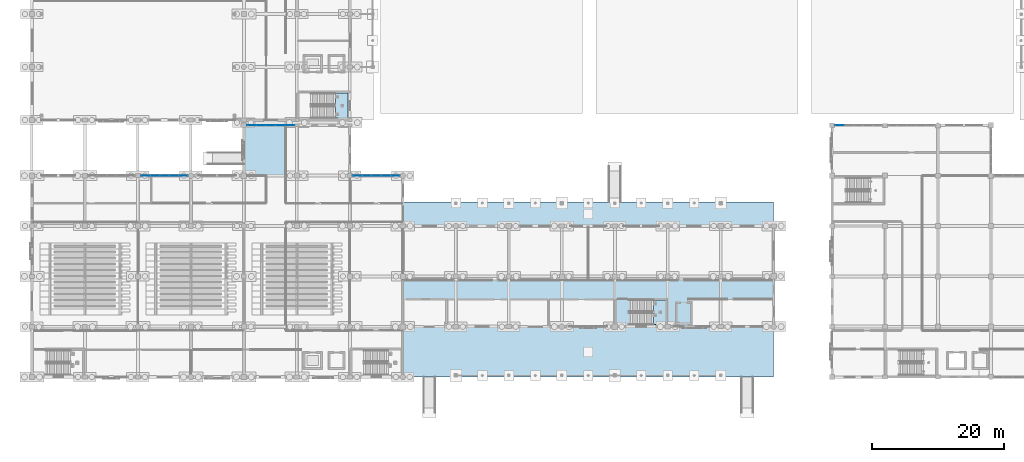
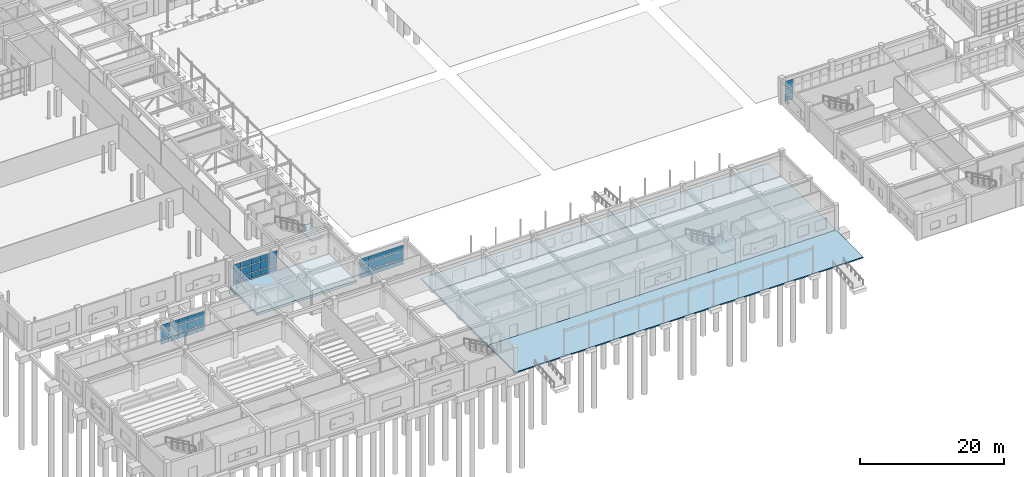
# One storey, part 109 of 166: 48 plates, 6 slabs, 6 elements without a shape of their own.
"""IFC4 building model written with IfcOpenShell, lengths in metres."""

from ifc_helpers import new_model, si_unit, direction, frame, origin, origin_2d, place, context, subcontext, project, spatial, polyline, rectangle, outline, extrude, material, layer, layer_set, type_object, element, aggregate, save


model = new_model("IFC4")

# Units and contexts
model_context = context("Model", 3, precision=1e-05, world=origin(), true_north=direction((0.0, 1.0)))
body_context = subcontext(model_context, "Body", "Model", "MODEL_VIEW")
ifc_project = project(units=[si_unit("LENGTHUNIT", "METRE"), si_unit("AREAUNIT", "SQUARE_METRE"), si_unit("VOLUMEUNIT", "CUBIC_METRE"), si_unit("PLANEANGLEUNIT", "RADIAN"), si_unit("MASSUNIT", "GRAM", prefix="KILO")], contexts=[model_context])

# Site, building, storey
site_placement = place(None, origin())
site = spatial("IfcSite", under=ifc_project, at=site_placement, CompositionType="ELEMENT")
building_placement = place(site_placement, origin())
building = spatial("IfcBuilding", under=site, at=building_placement, Name="Kharva Crest Polytechnic", CompositionType="ELEMENT")
storey_placement = place(building_placement, origin())
storey = spatial("IfcBuildingStorey", under=building, at=storey_placement, Name="L00", CompositionType="ELEMENT", Elevation=0.0)

# Curtain wall, plates
ifc_material_1 = material(Name="Tempered insulated glass", Category="glass")
curtain_wall_type_1 = type_object("IfcCurtainWallType", Name="CW-SYS-COURT", PredefinedType="USERDEFINED", material=ifc_material_1)
curtain_wall_1_placement = place(storey_placement, origin())
curtain_wall_1 = element("IfcCurtainWall", 1, at=curtain_wall_1_placement, inside=storey, type_object=curtain_wall_type_1, Name="L00 Glazed Curtain Wall CW-001", ObjectType="CURTAIN WALL", PredefinedType="USERDEFINED")
ifc_layer_1 = layer(ifc_material_1, 0.02392578125, Name="Tempered insulated glass")
ifc_layer_set_1 = layer_set([ifc_layer_1], Name="Tempered insulated glass")
plate_type_1 = type_object("IfcPlateType", Name="CWP-GLZ-24", PredefinedType="CURTAIN_PANEL", material=ifc_layer_set_1)
plate_1_placement = place(storey_placement, frame((54.85498046875, 30.39990234375, 0.119873046875), z_axis=(0.0, 0.0, 1.0), x_axis=(-1.0, 0.0, 0.0)))
plate_1 = element("IfcPlate", 2, at=plate_1_placement, type_object=plate_type_1, Name="CW-001 panel 1.1", PredefinedType="CURTAIN_PANEL", context=body_context, shape_type="SweptSolid", body=[
    extrude(rectangle(XDim=1.320068359375, YDim=0.02392578125, at=origin_2d()), origin(), (0.0, 0.0, 1.0), 0.8701171875),
])
plate_2_placement = place(storey_placement, frame((54.85498046875, 30.39990234375, 1.10986328125), z_axis=(0.0, 0.0, 1.0), x_axis=(-1.0, 0.0, 0.0)))
plate_2 = element("IfcPlate", 3, at=plate_2_placement, type_object=plate_type_1, Name="CW-001 panel 1.2", PredefinedType="CURTAIN_PANEL", context=body_context, shape_type="SweptSolid", body=[
    extrude(rectangle(XDim=1.320068359375, YDim=0.02392578125, at=origin_2d()), origin(), (0.0, 0.0, 1.0), 1.280029296875),
])
plate_3_placement = place(storey_placement, frame((54.85498046875, 30.39990234375, 2.51025390625), z_axis=(0.0, 0.0, 1.0), x_axis=(-1.0, 0.0, 0.0)))
plate_3 = element("IfcPlate", 4, at=plate_3_placement, type_object=plate_type_1, Name="CW-001 panel 1.3", PredefinedType="CURTAIN_PANEL", context=body_context, shape_type="SweptSolid", body=[
    extrude(rectangle(XDim=1.320068359375, YDim=0.02392578125, at=origin_2d()), origin(), (0.0, 0.0, 1.0), 0.909912109375),
])
plate_4_placement = place(storey_placement, frame((53.43505859375, 30.39990234375, 0.119873046875), z_axis=(0.0, 0.0, 1.0), x_axis=(-1.0, 0.0, 0.0)))
plate_4 = element("IfcPlate", 5, at=plate_4_placement, type_object=plate_type_1, Name="CW-001 panel 2.1", PredefinedType="CURTAIN_PANEL", context=body_context, shape_type="SweptSolid", body=[
    extrude(rectangle(XDim=1.360107421875, YDim=0.02392578125, at=origin_2d()), origin(), (0.0, 0.0, 1.0), 0.8701171875),
])
plate_5_placement = place(storey_placement, frame((53.43505859375, 30.39990234375, 1.10986328125), z_axis=(0.0, 0.0, 1.0), x_axis=(-1.0, 0.0, 0.0)))
plate_5 = element("IfcPlate", 6, at=plate_5_placement, type_object=plate_type_1, Name="CW-001 panel 2.2", PredefinedType="CURTAIN_PANEL", context=body_context, shape_type="SweptSolid", body=[
    extrude(rectangle(XDim=1.360107421875, YDim=0.02392578125, at=origin_2d()), origin(), (0.0, 0.0, 1.0), 1.280029296875),
])
plate_6_placement = place(storey_placement, frame((53.43505859375, 30.39990234375, 2.51025390625), z_axis=(0.0, 0.0, 1.0), x_axis=(-1.0, 0.0, 0.0)))
plate_6 = element("IfcPlate", 7, at=plate_6_placement, type_object=plate_type_1, Name="CW-001 panel 2.3", PredefinedType="CURTAIN_PANEL", context=body_context, shape_type="SweptSolid", body=[
    extrude(rectangle(XDim=1.360107421875, YDim=0.02392578125, at=origin_2d()), origin(), (0.0, 0.0, 1.0), 0.909912109375),
])
plate_7_placement = place(storey_placement, frame((51.9951171875, 30.39990234375, 0.119873046875), z_axis=(0.0, 0.0, 1.0), x_axis=(-1.0, 0.0, 0.0)))
plate_7 = element("IfcPlate", 8, at=plate_7_placement, type_object=plate_type_1, Name="CW-001 panel 3.1", PredefinedType="CURTAIN_PANEL", context=body_context, shape_type="SweptSolid", body=[
    extrude(rectangle(XDim=1.360107421875, YDim=0.02392578125, at=origin_2d()), origin(), (0.0, 0.0, 1.0), 0.8701171875),
])
plate_8_placement = place(storey_placement, frame((51.9951171875, 30.39990234375, 1.10986328125), z_axis=(0.0, 0.0, 1.0), x_axis=(-1.0, 0.0, 0.0)))
plate_8 = element("IfcPlate", 9, at=plate_8_placement, type_object=plate_type_1, Name="CW-001 panel 3.2", PredefinedType="CURTAIN_PANEL", context=body_context, shape_type="SweptSolid", body=[
    extrude(rectangle(XDim=1.360107421875, YDim=0.02392578125, at=origin_2d()), origin(), (0.0, 0.0, 1.0), 1.280029296875),
])
plate_9_placement = place(storey_placement, frame((51.9951171875, 30.39990234375, 2.51025390625), z_axis=(0.0, 0.0, 1.0), x_axis=(-1.0, 0.0, 0.0)))
plate_9 = element("IfcPlate", 10, at=plate_9_placement, type_object=plate_type_1, Name="CW-001 panel 3.3", PredefinedType="CURTAIN_PANEL", context=body_context, shape_type="SweptSolid", body=[
    extrude(rectangle(XDim=1.360107421875, YDim=0.02392578125, at=origin_2d()), origin(), (0.0, 0.0, 1.0), 0.909912109375),
])
plate_10_placement = place(storey_placement, frame((50.554931640625, 30.39990234375, 0.119873046875), z_axis=(0.0, 0.0, 1.0), x_axis=(-1.0, 0.0, 0.0)))
plate_10 = element("IfcPlate", 11, at=plate_10_placement, type_object=plate_type_1, Name="CW-001 panel 4.1", PredefinedType="CURTAIN_PANEL", context=body_context, shape_type="SweptSolid", body=[
    extrude(rectangle(XDim=1.360107421875, YDim=0.02392578125, at=origin_2d()), origin(), (0.0, 0.0, 1.0), 0.8701171875),
])
plate_11_placement = place(storey_placement, frame((50.554931640625, 30.39990234375, 1.10986328125), z_axis=(0.0, 0.0, 1.0), x_axis=(-1.0, 0.0, 0.0)))
plate_11 = element("IfcPlate", 12, at=plate_11_placement, type_object=plate_type_1, Name="CW-001 panel 4.2", PredefinedType="CURTAIN_PANEL", context=body_context, shape_type="SweptSolid", body=[
    extrude(rectangle(XDim=1.360107421875, YDim=0.02392578125, at=origin_2d()), origin(), (0.0, 0.0, 1.0), 1.280029296875),
])
plate_12_placement = place(storey_placement, frame((50.554931640625, 30.39990234375, 2.51025390625), z_axis=(0.0, 0.0, 1.0), x_axis=(-1.0, 0.0, 0.0)))
plate_12 = element("IfcPlate", 13, at=plate_12_placement, type_object=plate_type_1, Name="CW-001 panel 4.3", PredefinedType="CURTAIN_PANEL", context=body_context, shape_type="SweptSolid", body=[
    extrude(rectangle(XDim=1.360107421875, YDim=0.02392578125, at=origin_2d()), origin(), (0.0, 0.0, 1.0), 0.909912109375),
])
plate_13_placement = place(storey_placement, frame((49.135009765625, 30.39990234375, 0.119873046875), z_axis=(0.0, 0.0, 1.0), x_axis=(-1.0, 0.0, 0.0)))
plate_13 = element("IfcPlate", 14, at=plate_13_placement, type_object=plate_type_1, Name="CW-001 panel 5.1", PredefinedType="CURTAIN_PANEL", context=body_context, shape_type="SweptSolid", body=[
    extrude(rectangle(XDim=1.320068359375, YDim=0.02392578125, at=origin_2d()), origin(), (0.0, 0.0, 1.0), 0.8701171875),
])
plate_14_placement = place(storey_placement, frame((49.135009765625, 30.39990234375, 1.10986328125), z_axis=(0.0, 0.0, 1.0), x_axis=(-1.0, 0.0, 0.0)))
plate_14 = element("IfcPlate", 15, at=plate_14_placement, type_object=plate_type_1, Name="CW-001 panel 5.2", PredefinedType="CURTAIN_PANEL", context=body_context, shape_type="SweptSolid", body=[
    extrude(rectangle(XDim=1.320068359375, YDim=0.02392578125, at=origin_2d()), origin(), (0.0, 0.0, 1.0), 1.280029296875),
])
plate_15_placement = place(storey_placement, frame((49.135009765625, 30.39990234375, 2.51025390625), z_axis=(0.0, 0.0, 1.0), x_axis=(-1.0, 0.0, 0.0)))
plate_15 = element("IfcPlate", 16, at=plate_15_placement, type_object=plate_type_1, Name="CW-001 panel 5.3", PredefinedType="CURTAIN_PANEL", context=body_context, shape_type="SweptSolid", body=[
    extrude(rectangle(XDim=1.320068359375, YDim=0.02392578125, at=origin_2d()), origin(), (0.0, 0.0, 1.0), 0.909912109375),
])
aggregate(curtain_wall_1, [plate_1, plate_2, plate_3, plate_4, plate_5, plate_6, plate_7, plate_8, plate_9, plate_10, plate_11, plate_12, plate_13, plate_14, plate_15])

curtain_wall_2_placement = place(storey_placement, origin())
curtain_wall_2 = element("IfcCurtainWall", 17, at=curtain_wall_2_placement, inside=storey, type_object=curtain_wall_type_1, Name="L00 Glazed Curtain Wall CW-002", ObjectType="CURTAIN WALL", PredefinedType="USERDEFINED")
plate_16_placement = place(storey_placement, frame((38.946044921875, 38.0, 0.119873046875), z_axis=(0.0, 0.0, 1.0), x_axis=(-1.0, 0.0, 0.0)))
plate_16 = element("IfcPlate", 18, at=plate_16_placement, type_object=plate_type_1, Name="CW-002 panel 1.1", PredefinedType="CURTAIN_PANEL", context=body_context, shape_type="SweptSolid", body=[
    extrude(rectangle(XDim=1.337890625, YDim=0.02392578125, at=origin_2d()), origin(), (0.0, 0.0, 1.0), 0.8701171875),
])
plate_17_placement = place(storey_placement, frame((38.946044921875, 38.0, 1.10986328125), z_axis=(0.0, 0.0, 1.0), x_axis=(-1.0, 0.0, 0.0)))
plate_17 = element("IfcPlate", 19, at=plate_17_placement, type_object=plate_type_1, Name="CW-002 panel 1.2", PredefinedType="CURTAIN_PANEL", context=body_context, shape_type="SweptSolid", body=[
    extrude(rectangle(XDim=1.337890625, YDim=0.02392578125, at=origin_2d()), origin(), (0.0, 0.0, 1.0), 1.280029296875),
])
plate_18_placement = place(storey_placement, frame((38.946044921875, 38.0, 2.510009765625), z_axis=(0.0, 0.0, 1.0), x_axis=(-1.0, 0.0, 0.0)))
plate_18 = element("IfcPlate", 20, at=plate_18_placement, type_object=plate_type_1, Name="CW-002 panel 1.3", PredefinedType="CURTAIN_PANEL", context=body_context, shape_type="SweptSolid", body=[
    extrude(rectangle(XDim=1.337890625, YDim=0.02392578125, at=origin_2d()), origin(), (0.0, 0.0, 1.0), 0.93994140625),
])
plate_19_placement = place(storey_placement, frame((37.508056640625, 38.0, 0.119873046875), z_axis=(0.0, 0.0, 1.0), x_axis=(-1.0, 0.0, 0.0)))
plate_19 = element("IfcPlate", 21, at=plate_19_placement, type_object=plate_type_1, Name="CW-002 panel 2.1", PredefinedType="CURTAIN_PANEL", context=body_context, shape_type="SweptSolid", body=[
    extrude(rectangle(XDim=1.3779296875, YDim=0.02392578125, at=origin_2d()), origin(), (0.0, 0.0, 1.0), 0.8701171875),
])
plate_20_placement = place(storey_placement, frame((37.508056640625, 38.0, 1.10986328125), z_axis=(0.0, 0.0, 1.0), x_axis=(-1.0, 0.0, 0.0)))
plate_20 = element("IfcPlate", 22, at=plate_20_placement, type_object=plate_type_1, Name="CW-002 panel 2.2", PredefinedType="CURTAIN_PANEL", context=body_context, shape_type="SweptSolid", body=[
    extrude(rectangle(XDim=1.3779296875, YDim=0.02392578125, at=origin_2d()), origin(), (0.0, 0.0, 1.0), 1.280029296875),
])
plate_21_placement = place(storey_placement, frame((37.508056640625, 38.0, 2.510009765625), z_axis=(0.0, 0.0, 1.0), x_axis=(-1.0, 0.0, 0.0)))
plate_21 = element("IfcPlate", 23, at=plate_21_placement, type_object=plate_type_1, Name="CW-002 panel 2.3", PredefinedType="CURTAIN_PANEL", context=body_context, shape_type="SweptSolid", body=[
    extrude(rectangle(XDim=1.3779296875, YDim=0.02392578125, at=origin_2d()), origin(), (0.0, 0.0, 1.0), 0.93994140625),
])
plate_22_placement = place(storey_placement, frame((36.050048828125, 38.0, 0.119873046875), z_axis=(0.0, 0.0, 1.0), x_axis=(-1.0, 0.0, 0.0)))
plate_22 = element("IfcPlate", 24, at=plate_22_placement, type_object=plate_type_1, Name="CW-002 panel 3.1", PredefinedType="CURTAIN_PANEL", context=body_context, shape_type="SweptSolid", body=[
    extrude(rectangle(XDim=1.3779296875, YDim=0.02392578125, at=origin_2d()), origin(), (0.0, 0.0, 1.0), 0.8701171875),
])
plate_23_placement = place(storey_placement, frame((36.050048828125, 38.0, 1.10986328125), z_axis=(0.0, 0.0, 1.0), x_axis=(-1.0, 0.0, 0.0)))
plate_23 = element("IfcPlate", 25, at=plate_23_placement, type_object=plate_type_1, Name="CW-002 panel 3.2", PredefinedType="CURTAIN_PANEL", context=body_context, shape_type="SweptSolid", body=[
    extrude(rectangle(XDim=1.3779296875, YDim=0.02392578125, at=origin_2d()), origin(), (0.0, 0.0, 1.0), 1.280029296875),
])
plate_24_placement = place(storey_placement, frame((36.050048828125, 38.0, 2.510009765625), z_axis=(0.0, 0.0, 1.0), x_axis=(-1.0, 0.0, 0.0)))
plate_24 = element("IfcPlate", 26, at=plate_24_placement, type_object=plate_type_1, Name="CW-002 panel 3.3", PredefinedType="CURTAIN_PANEL", context=body_context, shape_type="SweptSolid", body=[
    extrude(rectangle(XDim=1.3779296875, YDim=0.02392578125, at=origin_2d()), origin(), (0.0, 0.0, 1.0), 0.93994140625),
])
plate_25_placement = place(storey_placement, frame((34.592041015625, 38.0, 0.119873046875), z_axis=(0.0, 0.0, 1.0), x_axis=(-1.0, 0.0, 0.0)))
plate_25 = element("IfcPlate", 27, at=plate_25_placement, type_object=plate_type_1, Name="CW-002 panel 4.1", PredefinedType="CURTAIN_PANEL", context=body_context, shape_type="SweptSolid", body=[
    extrude(rectangle(XDim=1.3779296875, YDim=0.02392578125, at=origin_2d()), origin(), (0.0, 0.0, 1.0), 0.8701171875),
])
plate_26_placement = place(storey_placement, frame((34.592041015625, 38.0, 1.10986328125), z_axis=(0.0, 0.0, 1.0), x_axis=(-1.0, 0.0, 0.0)))
plate_26 = element("IfcPlate", 28, at=plate_26_placement, type_object=plate_type_1, Name="CW-002 panel 4.2", PredefinedType="CURTAIN_PANEL", context=body_context, shape_type="SweptSolid", body=[
    extrude(rectangle(XDim=1.3779296875, YDim=0.02392578125, at=origin_2d()), origin(), (0.0, 0.0, 1.0), 1.280029296875),
])
plate_27_placement = place(storey_placement, frame((34.592041015625, 38.0, 2.510009765625), z_axis=(0.0, 0.0, 1.0), x_axis=(-1.0, 0.0, 0.0)))
plate_27 = element("IfcPlate", 29, at=plate_27_placement, type_object=plate_type_1, Name="CW-002 panel 4.3", PredefinedType="CURTAIN_PANEL", context=body_context, shape_type="SweptSolid", body=[
    extrude(rectangle(XDim=1.3779296875, YDim=0.02392578125, at=origin_2d()), origin(), (0.0, 0.0, 1.0), 0.93994140625),
])
plate_28_placement = place(storey_placement, frame((33.154052734375, 38.0, 0.119873046875), z_axis=(0.0, 0.0, 1.0), x_axis=(-1.0, 0.0, 0.0)))
plate_28 = element("IfcPlate", 30, at=plate_28_placement, type_object=plate_type_1, Name="CW-002 panel 5.1", PredefinedType="CURTAIN_PANEL", context=body_context, shape_type="SweptSolid", body=[
    extrude(rectangle(XDim=1.337890625, YDim=0.02392578125, at=origin_2d()), origin(), (0.0, 0.0, 1.0), 0.8701171875),
])
plate_29_placement = place(storey_placement, frame((33.154052734375, 38.0, 1.10986328125), z_axis=(0.0, 0.0, 1.0), x_axis=(-1.0, 0.0, 0.0)))
plate_29 = element("IfcPlate", 31, at=plate_29_placement, type_object=plate_type_1, Name="CW-002 panel 5.2", PredefinedType="CURTAIN_PANEL", context=body_context, shape_type="SweptSolid", body=[
    extrude(rectangle(XDim=1.337890625, YDim=0.02392578125, at=origin_2d()), origin(), (0.0, 0.0, 1.0), 1.280029296875),
])
plate_30_placement = place(storey_placement, frame((33.154052734375, 38.0, 2.510009765625), z_axis=(0.0, 0.0, 1.0), x_axis=(-1.0, 0.0, 0.0)))
plate_30 = element("IfcPlate", 32, at=plate_30_placement, type_object=plate_type_1, Name="CW-002 panel 5.3", PredefinedType="CURTAIN_PANEL", context=body_context, shape_type="SweptSolid", body=[
    extrude(rectangle(XDim=1.337890625, YDim=0.02392578125, at=origin_2d()), origin(), (0.0, 0.0, 1.0), 0.93994140625),
])
aggregate(curtain_wall_2, [plate_16, plate_17, plate_18, plate_19, plate_20, plate_21, plate_22, plate_23, plate_24, plate_25, plate_26, plate_27, plate_28, plate_29, plate_30])

curtain_wall_3_placement = place(storey_placement, origin())
curtain_wall_3 = element("IfcCurtainWall", 33, at=curtain_wall_3_placement, inside=storey, type_object=curtain_wall_type_1, Name="L00 Glazed Curtain Wall CW-003", ObjectType="CURTAIN WALL", PredefinedType="USERDEFINED")
plate_31_placement = place(storey_placement, frame((22.85498046875, 30.39990234375, 0.119873046875), z_axis=(0.0, 0.0, 1.0), x_axis=(-1.0, 0.0, 0.0)))
plate_31 = element("IfcPlate", 34, at=plate_31_placement, type_object=plate_type_1, Name="CW-003 panel 1.1", PredefinedType="CURTAIN_PANEL", context=body_context, shape_type="SweptSolid", body=[
    extrude(rectangle(XDim=1.320068359375, YDim=0.02392578125, at=origin_2d()), origin(), (0.0, 0.0, 1.0), 0.8701171875),
])
plate_32_placement = place(storey_placement, frame((22.85498046875, 30.39990234375, 1.10986328125), z_axis=(0.0, 0.0, 1.0), x_axis=(-1.0, 0.0, 0.0)))
plate_32 = element("IfcPlate", 35, at=plate_32_placement, type_object=plate_type_1, Name="CW-003 panel 1.2", PredefinedType="CURTAIN_PANEL", context=body_context, shape_type="SweptSolid", body=[
    extrude(rectangle(XDim=1.320068359375, YDim=0.02392578125, at=origin_2d()), origin(), (0.0, 0.0, 1.0), 1.280029296875),
])
plate_33_placement = place(storey_placement, frame((22.85498046875, 30.39990234375, 2.51025390625), z_axis=(0.0, 0.0, 1.0), x_axis=(-1.0, 0.0, 0.0)))
plate_33 = element("IfcPlate", 36, at=plate_33_placement, type_object=plate_type_1, Name="CW-003 panel 1.3", PredefinedType="CURTAIN_PANEL", context=body_context, shape_type="SweptSolid", body=[
    extrude(rectangle(XDim=1.320068359375, YDim=0.02392578125, at=origin_2d()), origin(), (0.0, 0.0, 1.0), 0.909912109375),
])
plate_34_placement = place(storey_placement, frame((21.43505859375, 30.39990234375, 0.119873046875), z_axis=(0.0, 0.0, 1.0), x_axis=(-1.0, 0.0, 0.0)))
plate_34 = element("IfcPlate", 37, at=plate_34_placement, type_object=plate_type_1, Name="CW-003 panel 2.1", PredefinedType="CURTAIN_PANEL", context=body_context, shape_type="SweptSolid", body=[
    extrude(rectangle(XDim=1.360107421875, YDim=0.02392578125, at=origin_2d()), origin(), (0.0, 0.0, 1.0), 0.8701171875),
])
plate_35_placement = place(storey_placement, frame((21.43505859375, 30.39990234375, 1.10986328125), z_axis=(0.0, 0.0, 1.0), x_axis=(-1.0, 0.0, 0.0)))
plate_35 = element("IfcPlate", 38, at=plate_35_placement, type_object=plate_type_1, Name="CW-003 panel 2.2", PredefinedType="CURTAIN_PANEL", context=body_context, shape_type="SweptSolid", body=[
    extrude(rectangle(XDim=1.360107421875, YDim=0.02392578125, at=origin_2d()), origin(), (0.0, 0.0, 1.0), 1.280029296875),
])
plate_36_placement = place(storey_placement, frame((21.43505859375, 30.39990234375, 2.51025390625), z_axis=(0.0, 0.0, 1.0), x_axis=(-1.0, 0.0, 0.0)))
plate_36 = element("IfcPlate", 39, at=plate_36_placement, type_object=plate_type_1, Name="CW-003 panel 2.3", PredefinedType="CURTAIN_PANEL", context=body_context, shape_type="SweptSolid", body=[
    extrude(rectangle(XDim=1.360107421875, YDim=0.02392578125, at=origin_2d()), origin(), (0.0, 0.0, 1.0), 0.909912109375),
])
plate_37_placement = place(storey_placement, frame((19.9951171875, 30.39990234375, 0.119873046875), z_axis=(0.0, 0.0, 1.0), x_axis=(-1.0, 0.0, 0.0)))
plate_37 = element("IfcPlate", 40, at=plate_37_placement, type_object=plate_type_1, Name="CW-003 panel 3.1", PredefinedType="CURTAIN_PANEL", context=body_context, shape_type="SweptSolid", body=[
    extrude(rectangle(XDim=1.360107421875, YDim=0.02392578125, at=origin_2d()), origin(), (0.0, 0.0, 1.0), 0.8701171875),
])
plate_38_placement = place(storey_placement, frame((19.9951171875, 30.39990234375, 1.10986328125), z_axis=(0.0, 0.0, 1.0), x_axis=(-1.0, 0.0, 0.0)))
plate_38 = element("IfcPlate", 41, at=plate_38_placement, type_object=plate_type_1, Name="CW-003 panel 3.2", PredefinedType="CURTAIN_PANEL", context=body_context, shape_type="SweptSolid", body=[
    extrude(rectangle(XDim=1.360107421875, YDim=0.02392578125, at=origin_2d()), origin(), (0.0, 0.0, 1.0), 1.280029296875),
])
plate_39_placement = place(storey_placement, frame((19.9951171875, 30.39990234375, 2.51025390625), z_axis=(0.0, 0.0, 1.0), x_axis=(-1.0, 0.0, 0.0)))
plate_39 = element("IfcPlate", 42, at=plate_39_placement, type_object=plate_type_1, Name="CW-003 panel 3.3", PredefinedType="CURTAIN_PANEL", context=body_context, shape_type="SweptSolid", body=[
    extrude(rectangle(XDim=1.360107421875, YDim=0.02392578125, at=origin_2d()), origin(), (0.0, 0.0, 1.0), 0.909912109375),
])
plate_40_placement = place(storey_placement, frame((18.554931640625, 30.39990234375, 0.119873046875), z_axis=(0.0, 0.0, 1.0), x_axis=(-1.0, 0.0, 0.0)))
plate_40 = element("IfcPlate", 43, at=plate_40_placement, type_object=plate_type_1, Name="CW-003 panel 4.1", PredefinedType="CURTAIN_PANEL", context=body_context, shape_type="SweptSolid", body=[
    extrude(rectangle(XDim=1.360107421875, YDim=0.02392578125, at=origin_2d()), origin(), (0.0, 0.0, 1.0), 0.8701171875),
])
plate_41_placement = place(storey_placement, frame((18.554931640625, 30.39990234375, 1.10986328125), z_axis=(0.0, 0.0, 1.0), x_axis=(-1.0, 0.0, 0.0)))
plate_41 = element("IfcPlate", 44, at=plate_41_placement, type_object=plate_type_1, Name="CW-003 panel 4.2", PredefinedType="CURTAIN_PANEL", context=body_context, shape_type="SweptSolid", body=[
    extrude(rectangle(XDim=1.360107421875, YDim=0.02392578125, at=origin_2d()), origin(), (0.0, 0.0, 1.0), 1.280029296875),
])
plate_42_placement = place(storey_placement, frame((18.554931640625, 30.39990234375, 2.51025390625), z_axis=(0.0, 0.0, 1.0), x_axis=(-1.0, 0.0, 0.0)))
plate_42 = element("IfcPlate", 45, at=plate_42_placement, type_object=plate_type_1, Name="CW-003 panel 4.3", PredefinedType="CURTAIN_PANEL", context=body_context, shape_type="SweptSolid", body=[
    extrude(rectangle(XDim=1.360107421875, YDim=0.02392578125, at=origin_2d()), origin(), (0.0, 0.0, 1.0), 0.909912109375),
])
plate_43_placement = place(storey_placement, frame((17.135009765625, 30.39990234375, 0.119873046875), z_axis=(0.0, 0.0, 1.0), x_axis=(-1.0, 0.0, 0.0)))
plate_43 = element("IfcPlate", 46, at=plate_43_placement, type_object=plate_type_1, Name="CW-003 panel 5.1", PredefinedType="CURTAIN_PANEL", context=body_context, shape_type="SweptSolid", body=[
    extrude(rectangle(XDim=1.320068359375, YDim=0.02392578125, at=origin_2d()), origin(), (0.0, 0.0, 1.0), 0.8701171875),
])
plate_44_placement = place(storey_placement, frame((17.135009765625, 30.39990234375, 1.10986328125), z_axis=(0.0, 0.0, 1.0), x_axis=(-1.0, 0.0, 0.0)))
plate_44 = element("IfcPlate", 47, at=plate_44_placement, type_object=plate_type_1, Name="CW-003 panel 5.2", PredefinedType="CURTAIN_PANEL", context=body_context, shape_type="SweptSolid", body=[
    extrude(rectangle(XDim=1.320068359375, YDim=0.02392578125, at=origin_2d()), origin(), (0.0, 0.0, 1.0), 1.280029296875),
])
plate_45_placement = place(storey_placement, frame((17.135009765625, 30.39990234375, 2.51025390625), z_axis=(0.0, 0.0, 1.0), x_axis=(-1.0, 0.0, 0.0)))
plate_45 = element("IfcPlate", 48, at=plate_45_placement, type_object=plate_type_1, Name="CW-003 panel 5.3", PredefinedType="CURTAIN_PANEL", context=body_context, shape_type="SweptSolid", body=[
    extrude(rectangle(XDim=1.320068359375, YDim=0.02392578125, at=origin_2d()), origin(), (0.0, 0.0, 1.0), 0.909912109375),
])
aggregate(curtain_wall_3, [plate_31, plate_32, plate_33, plate_34, plate_35, plate_36, plate_37, plate_38, plate_39, plate_40, plate_41, plate_42, plate_43, plate_44, plate_45])

curtain_wall_type_2 = type_object("IfcCurtainWallType", Name="CW-SYS-REFECTORY", PredefinedType="USERDEFINED", material=ifc_material_1)
curtain_wall_4_placement = place(storey_placement, origin())
curtain_wall_4 = element("IfcCurtainWall", 49, at=curtain_wall_4_placement, inside=storey, type_object=curtain_wall_type_2, Name="L00 Glazed Curtain Wall CW-007", ObjectType="CURTAIN WALL", PredefinedType="USERDEFINED")
ifc_layer_2 = layer(ifc_material_1, 0.030029296875, Name="Tempered insulated glass")
ifc_layer_set_2 = layer_set([ifc_layer_2], Name="Tempered insulated glass")
plate_type_2 = type_object("IfcPlateType", Name="CWP-GLZ-30", PredefinedType="CURTAIN_PANEL", material=ifc_layer_set_2)
plate_46_placement = place(storey_placement, frame((121.949951171875, 38.0, 0.14013671875), z_axis=(0.0, 0.0, 1.0), x_axis=(-1.0, 0.0, 0.0)))
plate_46 = element("IfcPlate", 50, at=plate_46_placement, type_object=plate_type_2, Name="CW-007 panel 5.1", PredefinedType="CURTAIN_PANEL", context=body_context, shape_type="SweptSolid", body=[
    extrude(rectangle(XDim=1.2900390625, YDim=0.030029296875, at=origin_2d()), origin(), (0.0, 0.0, 1.0), 0.840087890625),
])
plate_47_placement = place(storey_placement, frame((121.949951171875, 38.0, 1.1201171875), z_axis=(0.0, 0.0, 1.0), x_axis=(-1.0, 0.0, 0.0)))
plate_47 = element("IfcPlate", 51, at=plate_47_placement, type_object=plate_type_2, Name="CW-007 panel 5.2", PredefinedType="CURTAIN_PANEL", context=body_context, shape_type="SweptSolid", body=[
    extrude(rectangle(XDim=1.2900390625, YDim=0.030029296875, at=origin_2d()), origin(), (0.0, 0.0, 1.0), 1.260009765625),
])
plate_48_placement = place(storey_placement, frame((121.949951171875, 38.0, 2.52001953125), z_axis=(0.0, 0.0, 1.0), x_axis=(-1.0, 0.0, 0.0)))
plate_48 = element("IfcPlate", 52, at=plate_48_placement, type_object=plate_type_2, Name="CW-007 panel 5.3", PredefinedType="CURTAIN_PANEL", context=body_context, shape_type="SweptSolid", body=[
    extrude(rectangle(XDim=1.2900390625, YDim=0.030029296875, at=origin_2d()), origin(), (0.0, 0.0, 1.0), 1.010009765625),
])
aggregate(curtain_wall_4, [plate_46, plate_47, plate_48])

# Slabs
ifc_material_2 = material(Name="Concrete C35/45", Category="concrete")
ifc_layer_3 = layer(ifc_material_2, 0.405029296875, Name="Concrete C35/45")
ifc_layer_set_3 = layer_set([ifc_layer_3], Name="Concrete C35/45")
slab_type_1 = type_object("IfcSlabType", Name="SLB-BASE-400", PredefinedType="BASESLAB", material=ifc_layer_set_3)
slab_1_placement = place(storey_placement, frame((0.0, 0.0, -0.405029296875)))
element("IfcSlab", 53, at=slab_1_placement, inside=storey, type_object=slab_type_1, Name="L00 Structural Slab SW_LINK", PredefinedType="BASESLAB", context=body_context, shape_type="SweptSolid", body=[
    extrude(outline(polyline([(32.0, 30.39990234375), (48.0, 30.39990234375), (48.0, 38.0), (32.0, 38.0), (32.0, 30.39990234375)])), origin(), (0.0, 0.0, 1.0), 0.405029296875),
])
slab_2_placement = place(storey_placement, frame((0.0, 0.0, -0.405029296875)))
element("IfcSlab", 54, at=slab_2_placement, inside=storey, type_object=slab_type_1, Name="L00 Structural Slab S_ADMIN", PredefinedType="BASESLAB", context=body_context, shape_type="SweptSolid", body=[
    extrude(outline(polyline([(56.0, 7.60009765625), (112.0, 7.60009765625), (112.0, 22.800048828125), (56.0, 22.800048828125), (56.0, 7.60009765625)])), origin(), (0.0, 0.0, 1.0), 0.405029296875),
])

# Stair, slab
stair_type_1 = type_object("IfcStairType", Name="STR-DOGLEG-1780", PredefinedType="TWO_STRAIGHT_RUN_STAIR", material=ifc_material_2)
stair_1_placement = place(storey_placement, origin())
stair_1 = element("IfcStair", 55, at=stair_1_placement, inside=storey, type_object=stair_type_1, Name="L00 West Workshop Core C2", PredefinedType="TWO_STRAIGHT_RUN_STAIR")
ifc_layer_4 = layer(ifc_material_2, 0.199951171875, Name="Concrete C35/45")
ifc_layer_set_4 = layer_set([ifc_layer_4], Name="Concrete C35/45")
slab_type_2 = type_object("IfcSlabType", Name="SLB-LAND-200", PredefinedType="LANDING", material=ifc_layer_set_4)
slab_3_placement = place(storey_placement, frame((0.0, 0.0, 2.050048828125)))
slab_3 = element("IfcSlab", 56, at=slab_3_placement, type_object=slab_type_2, Name="ST-02 landing 1", PredefinedType="LANDING", context=body_context, shape_type="SweptSolid", body=[
    extrude(outline(polyline([(45.800048828125, 39.10009765625), (47.699951171875, 39.10009765625), (47.699951171875, 42.860107421875), (45.800048828125, 42.860107421875), (45.800048828125, 39.10009765625)])), origin(), (0.0, 0.0, 1.0), 0.199951171875),
])
aggregate(stair_1, [slab_3])

stair_type_2 = type_object("IfcStairType", Name="STR-DOGLEG-1810", PredefinedType="TWO_STRAIGHT_RUN_STAIR", material=ifc_material_2)
stair_2_placement = place(storey_placement, origin())
stair_2 = element("IfcStair", 57, at=stair_2_placement, inside=storey, type_object=stair_type_2, Name="L00 South Entrance Wing Stair C8", PredefinedType="TWO_STRAIGHT_RUN_STAIR")
slab_4_placement = place(storey_placement, frame((0.0, 0.0, 2.050048828125)))
slab_4 = element("IfcSlab", 58, at=slab_4_placement, type_object=slab_type_2, Name="ST-08 landing 1", PredefinedType="LANDING", context=body_context, shape_type="SweptSolid", body=[
    extrude(outline(polyline([(93.830078125, 7.89990234375), (95.699951171875, 7.89990234375), (95.699951171875, 11.659912109375), (93.830078125, 11.659912109375), (93.830078125, 7.89990234375)])), origin(), (0.0, 0.0, 1.0), 0.199951171875),
])
aggregate(stair_2, [slab_4])

# Slabs
ifc_layer_5 = layer(ifc_material_2, 0.199951171875, Name="Concrete C35/45")
ifc_layer_set_5 = layer_set([ifc_layer_5], Name="Concrete C35/45")
slab_type_3 = type_object("IfcSlabType", Name="SLB-VER-200", PredefinedType="FLOOR", material=ifc_layer_set_5)
slab_5_placement = place(storey_placement, frame((0.0, 0.0, -0.199951171875)))
element("IfcSlab", 59, at=slab_5_placement, inside=storey, type_object=slab_type_3, Name="L00 Outdoor Arcade Slab ARC_S_L00", PredefinedType="FLOOR", context=body_context, shape_type="SweptSolid", body=[
    extrude(outline(polyline([(56.0, 0.0), (112.0, 0.0), (112.0, 7.60009765625), (56.0, 7.60009765625), (56.0, 0.0)])), origin(), (0.0, 0.0, 1.0), 0.199951171875),
])
slab_6_placement = place(storey_placement, frame((0.0, 0.0, -0.199951171875)))
element("IfcSlab", 60, at=slab_6_placement, inside=storey, type_object=slab_type_3, Name="L00 Outdoor Veranda Slab VER_S_L00", PredefinedType="FLOOR", context=body_context, shape_type="SweptSolid", body=[
    extrude(outline(polyline([(56.0, 22.800048828125), (112.0, 22.800048828125), (112.0, 26.39990234375), (56.0, 26.39990234375), (56.0, 22.800048828125)])), origin(), (0.0, 0.0, 1.0), 0.199951171875),
])

save(model, "model.ifc")
